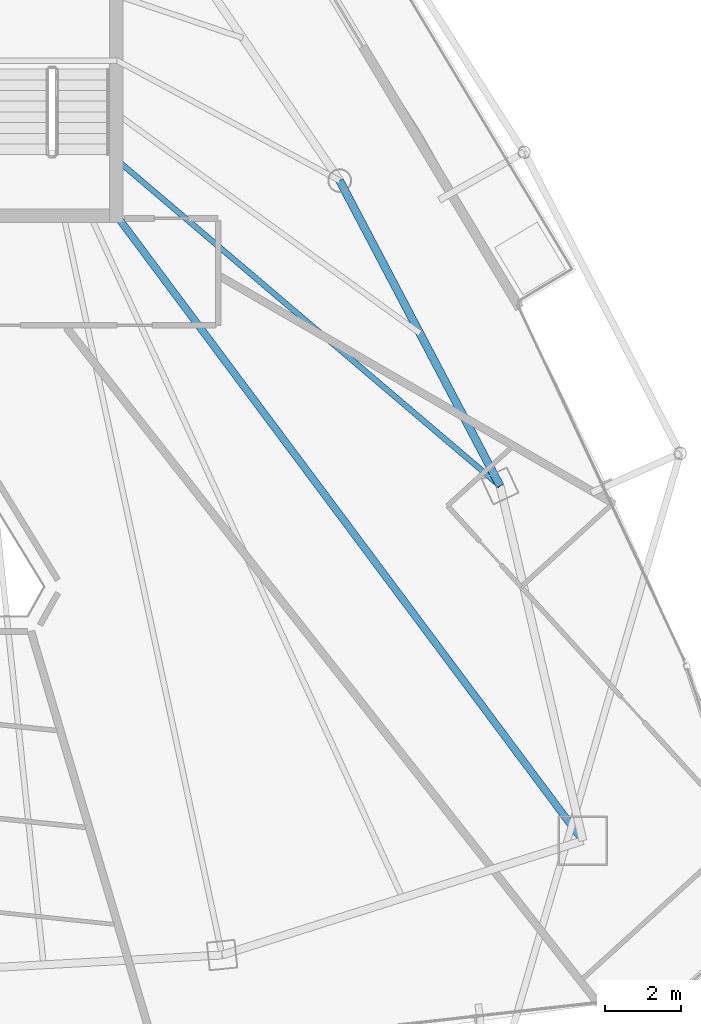
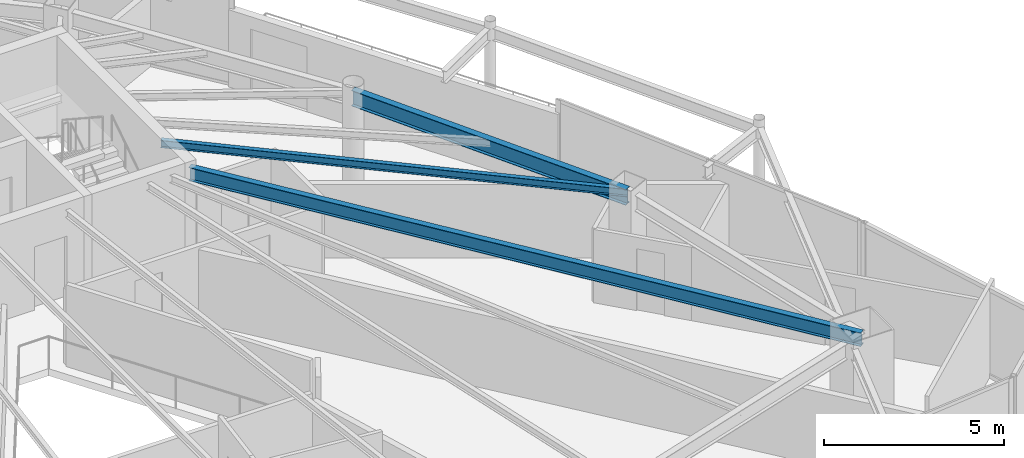
# One storey, part 19 of 33: 3 beams.
"""IFC4 building model written with IfcOpenShell, lengths in metres."""

from ifc_helpers import new_model, si_unit, direction, frame, origin, origin_2d, place, context, subcontext, project, spatial, i_section, extrude, material, material_profile, profile_set, type_object, element, save


model = new_model("IFC4")

# Units and contexts
model_context = context("Model", 3, precision=1e-05, world=origin(), true_north=direction((0.0, 1.0)))
body_context = subcontext(model_context, "Body", "Model", "MODEL_VIEW")
ifc_project = project(units=[si_unit("LENGTHUNIT", "METRE"), si_unit("AREAUNIT", "SQUARE_METRE"), si_unit("VOLUMEUNIT", "CUBIC_METRE"), si_unit("PLANEANGLEUNIT", "RADIAN"), si_unit("MASSUNIT", "GRAM", prefix="KILO")], contexts=[model_context])

# Site, building, storey
site_placement = place(None, origin())
site = spatial("IfcSite", under=ifc_project, at=site_placement, CompositionType="ELEMENT")
building_placement = place(site_placement, origin())
building = spatial("IfcBuilding", under=site, at=building_placement, Name="Orvanel Arch Residences", CompositionType="ELEMENT")
storey_placement = place(building_placement, frame((0.0, 0.0, 196.39990234375)))
storey = spatial("IfcBuildingStorey", under=building, at=storey_placement, Name="L55", CompositionType="ELEMENT", Elevation=196.39990234375)

# Beams
ifc_material = material(Name="Structural steel AS/NZS 3679.1 Grade 300 (300 MPa)", Category="steel")
ifc_material_profile_1 = material_profile(ifc_material, i_section(OverallWidth=0.19091796875, OverallDepth=0.4599609375, WebThickness=0.010009765625, FlangeThickness=0.01611328125, at=origin_2d()), Name="460UB82.1")
ifc_profile_set_1 = profile_set([ifc_material_profile_1], Name="Structural steel AS/NZS 3679.1 Grade 300 (300 MPa)")
beam_type_1 = type_object("IfcBeamType", Name="BG-460UB", PredefinedType="BEAM", material=ifc_profile_set_1)
beam_1_placement = place(storey_placement, frame((39.625, 26.675048828125, 2.830078125), z_axis=(0.597893733742, -0.801575375839, 0.0), x_axis=(0.801575375839, 0.597893733742, 0.0)))
element("IfcBeam", 1, at=beam_1_placement, inside=storey, type_object=beam_type_1, Name="L55 South-East Radial Girder", PredefinedType="BEAM", context=body_context, shape_type="SweptSolid", body=[
    extrude(i_section(OverallWidth=0.19091796875, OverallDepth=0.4599609375, WebThickness=0.010009765625, FlangeThickness=0.01611328125, at=origin_2d()), origin(), (0.0, 0.0, 1.0), 20.36474609375),
])
ifc_material_profile_2 = material_profile(ifc_material, i_section(OverallWidth=0.14599609375, OverallDepth=0.251953125, WebThickness=0.006103515625, FlangeThickness=0.008544921875, at=origin_2d()), Name="250UB31.4")
ifc_profile_set_2 = profile_set([ifc_material_profile_2], Name="Structural steel AS/NZS 3679.1 Grade 300 (300 MPa)")
beam_type_2 = type_object("IfcBeamType", Name="BJ-250UB", PredefinedType="JOIST", material=ifc_profile_set_2)
beam_2_placement = place(storey_placement, frame((39.574951171875, 28.199951171875, 2.93408203125), z_axis=(0.761622669031, -0.64802076357, 0.0), x_axis=(0.64802076357, 0.761622669031, 0.0)))
element("IfcBeam", 2, at=beam_2_placement, inside=storey, type_object=beam_type_2, Name="L55 E Wing Floor Joist", PredefinedType="JOIST", context=body_context, shape_type="SweptSolid", body=[
    extrude(i_section(OverallWidth=0.14599609375, OverallDepth=0.251953125, WebThickness=0.006103515625, FlangeThickness=0.008544921875, at=origin_2d()), origin(), (0.0, 0.0, 1.0), 13.2060546875),
])
ifc_material_profile_3 = material_profile(ifc_material, i_section(OverallWidth=0.208984375, OverallDepth=0.532958984375, WebThickness=0.01025390625, FlangeThickness=0.015625, at=origin_2d()), Name="530UB92.4")
ifc_profile_set_3 = profile_set([ifc_material_profile_3], Name="Structural steel AS/NZS 3679.1 Grade 300 (300 MPa)")
beam_type_3 = type_object("IfcBeamType", Name="SP-530UB", PredefinedType="SPANDREL", material=ifc_profile_set_3)
beam_3_placement = place(storey_placement, frame((49.633056640625, 19.64208984375, 2.794189453125), z_axis=(-0.465064762793, 0.885276660942, 0.0), x_axis=(-0.885276660942, -0.465064762793, 0.0)))
element("IfcBeam", 3, at=beam_3_placement, inside=storey, type_object=beam_type_3, Name="L55 Perimeter Spandrel Beam 07", PredefinedType="SPANDREL", context=body_context, shape_type="SweptSolid", body=[
    extrude(i_section(OverallWidth=0.208984375, OverallDepth=0.532958984375, WebThickness=0.01025390625, FlangeThickness=0.015625, at=origin_2d()), origin(), (0.0, 0.0, 1.0), 9.03564453125),
])

save(model, "model.ifc")
